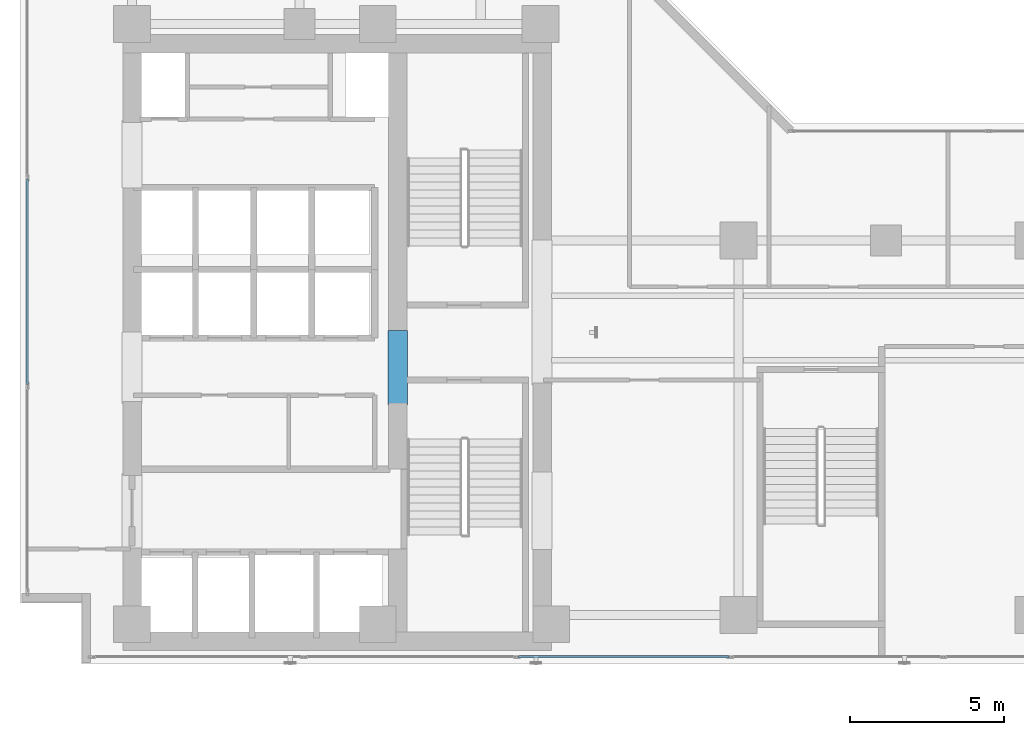
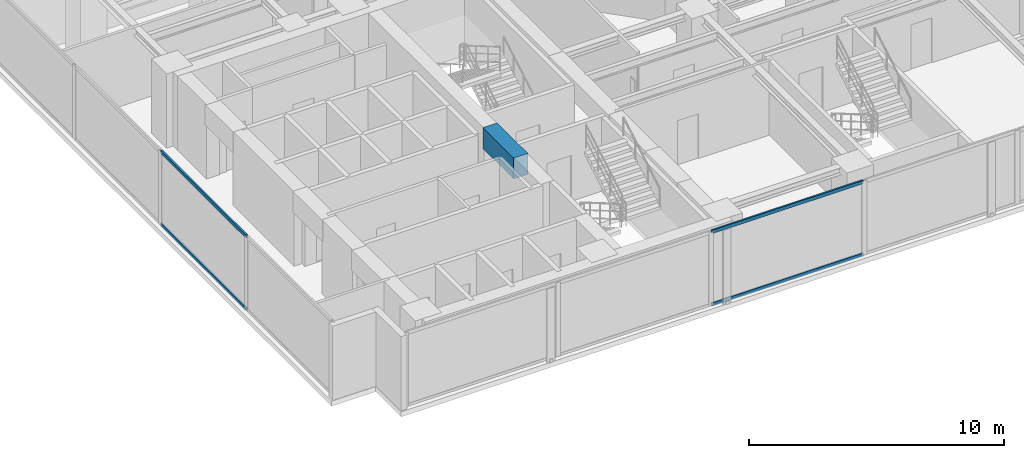
# One storey, part 3 of 26: 4 members, 1 beam, 2 elements without a shape of their own.
"""IFC4 building model written with IfcOpenShell, lengths in metres."""

import ifcopenshell
import ifcopenshell.guid

model = None  # the IFC model being written
_history = None  # IfcOwnerHistory: only IFC2X3 demands one
_inside = {}  # id of a spatial element -> (the spatial element, [elements in it])
_under = {}  # id of a project, library or spatial element -> (it, [spatial elements below it])
_declared = {}  # id of a project -> (the project, [libraries it declares])
_typed = {}  # id of a type object -> (the type object, [elements of that type])
_made_of = {}  # id of a material, layer set ... -> (it, [elements and type objects made of it])


def new_model(schema):
    """Start an empty IFC model of exactly this schema.

    Asked for "IFC4X3", IfcOpenShell would pick the latest addendum, in which some entities
    have other attributes; the version numbers below select the first issue.
    IFC2X3 requires an IfcOwnerHistory on every rooted entity: one is made here for all.
    """
    global model, _history
    if schema == "IFC4X3":
        model = ifcopenshell.file(schema_version=(4, 3, 0, 0))
    else:
        model = ifcopenshell.file(schema=schema)
    _inside.clear()
    _under.clear()
    _declared.clear()
    _typed.clear()
    _made_of.clear()
    _history = None
    if model.schema == "IFC2X3":
        org = make("IfcOrganization", Name="unknown")
        user = make(
            "IfcPersonAndOrganization",
            ThePerson=make("IfcPerson", FamilyName="unknown"),
            TheOrganization=org,
        )
        app = make(
            "IfcApplication",
            ApplicationDeveloper=org,
            Version="unknown",
            ApplicationFullName="unknown",
            ApplicationIdentifier="unknown",
        )
        _history = make(
            "IfcOwnerHistory",
            OwningUser=user,
            OwningApplication=app,
            ChangeAction="ADDED",
            CreationDate=0,
        )
    return model


def make(cls, **values):
    """One entity of the class cls with the attributes given. An attribute that is None is left unset."""
    return model.create_entity(
        cls, **{name: value for name, value in values.items() if value is not None}
    )


def rooted(cls, **values):
    """An entity with a GlobalId (a new one), such as an element, a storey or a relation."""
    return make(cls, GlobalId=ifcopenshell.guid.new(), OwnerHistory=_history, **values)


def si_unit(unit_type, name, prefix=None):
    """IfcSIUnit, for example si_unit("LENGTHUNIT", "METRE", prefix="MILLI")."""
    return make("IfcSIUnit", UnitType=unit_type, Prefix=prefix, Name=name)


def assignment(units):
    """IfcUnitAssignment: the units of a project."""
    return None if units is None else make("IfcUnitAssignment", Units=units)


def point(xyz):
    """IfcCartesianPoint."""
    return None if xyz is None else make("IfcCartesianPoint", Coordinates=xyz)


def direction(xyz):
    """IfcDirection."""
    return None if xyz is None else make("IfcDirection", DirectionRatios=xyz)


def frame(location, z_axis=None, x_axis=None):
    """IfcAxis2Placement3D, a coordinate frame: its origin and axes. An axis left out is left unset."""
    return make(
        "IfcAxis2Placement3D",
        Location=point(location),
        Axis=direction(z_axis),
        RefDirection=direction(x_axis),
    )


def frame_2d(location, x_axis=None):
    """IfcAxis2Placement2D, a coordinate frame in the plane: its origin and x axis."""
    return make(
        "IfcAxis2Placement2D", Location=point(location), RefDirection=direction(x_axis)
    )


def origin():
    """The frame at (0, 0, 0) with its axes left unset."""
    return frame((0.0, 0.0, 0.0))


def origin_with_axes():
    """The frame at (0, 0, 0) with the z axis (0, 0, 1) and the x axis (1, 0, 0) written out."""
    return frame((0.0, 0.0, 0.0), z_axis=(0.0, 0.0, 1.0), x_axis=(1.0, 0.0, 0.0))


def origin_2d():
    """The frame at (0, 0) in the plane with its x axis left unset."""
    return frame_2d((0.0, 0.0))


def place(relative_to, where):
    """IfcLocalPlacement: puts the frame where relative to a parent placement (None: the world)."""
    return make(
        "IfcLocalPlacement", PlacementRelTo=relative_to, RelativePlacement=where
    )


def context(
    kind, dimensions, precision=None, world=None, true_north=None, identifier=None
):
    """IfcGeometricRepresentationContext, for example the 3D "Model" context."""
    return make(
        "IfcGeometricRepresentationContext",
        ContextIdentifier=identifier,
        ContextType=kind,
        CoordinateSpaceDimension=dimensions,
        Precision=precision,
        WorldCoordinateSystem=world,
        TrueNorth=true_north,
    )


def subcontext(parent, identifier, kind, view, scale=None):
    """IfcGeometricRepresentationSubContext, for example "Body" below "Model"."""
    return make(
        "IfcGeometricRepresentationSubContext",
        ContextIdentifier=identifier,
        ContextType=kind,
        ParentContext=parent,
        TargetScale=scale,
        TargetView=view,
    )


def project(units=None, contexts=None):
    """IfcProject with its units and contexts."""
    return rooted(
        "IfcProject",
        Name="project",
        RepresentationContexts=contexts,
        UnitsInContext=assignment(units),
    )


def spatial(cls, under=None, at=None, **own):
    """A site, building, storey or space (cls), placed at a placement, below another one or the project."""
    s = rooted(cls, ObjectPlacement=at, **own)
    if under is not None:
        _under.setdefault(under.id(), (under, []))[1].append(s)
    return s


def profile(cls, at=None, kind="AREA", **sizes):
    """A parametric profile (cls). Its sizes go by their IFC names, for example OverallWidth=200.0."""
    return make(cls, ProfileType=kind, Position=at, **sizes)


def rectangle(**sizes):
    """IfcRectangleProfileDef."""
    return profile("IfcRectangleProfileDef", **sizes)


def hollow_rectangle(**sizes):
    """IfcRectangleHollowProfileDef."""
    return profile("IfcRectangleHollowProfileDef", **sizes)


def extrude(swept, where, along, depth):
    """IfcExtrudedAreaSolid: the profile swept, set in the frame where, extruded along a direction by depth."""
    return make(
        "IfcExtrudedAreaSolid",
        SweptArea=swept,
        Position=where,
        ExtrudedDirection=direction(along),
        Depth=depth,
    )


def shape(context_of_items, identifier, shape_type, items):
    """IfcShapeRepresentation: the items that make up one representation, for example the "Body"."""
    return make(
        "IfcShapeRepresentation",
        ContextOfItems=context_of_items,
        RepresentationIdentifier=identifier,
        RepresentationType=shape_type,
        Items=items,
    )


def source(mapping_origin, context_of_items, identifier, shape_type, items):
    """IfcRepresentationMap: a shape defined once, which mapped items show again and again."""
    return make(
        "IfcRepresentationMap",
        MappingOrigin=mapping_origin,
        MappedRepresentation=shape(context_of_items, identifier, shape_type, items),
    )


def transform(
    local_origin,
    x_axis=None,
    y_axis=None,
    z_axis=None,
    scale=None,
    scale2=None,
    scale3=None,
    uniform=True,
):
    """IfcCartesianTransformationOperator3D, or its non-uniform kind. x_axis, y_axis, z_axis: its Axis1, 2, 3."""
    if uniform:
        return make(
            "IfcCartesianTransformationOperator3D",
            Axis1=direction(x_axis),
            Axis2=direction(y_axis),
            LocalOrigin=point(local_origin),
            Scale=scale,
            Axis3=direction(z_axis),
        )
    return make(
        "IfcCartesianTransformationOperator3DnonUniform",
        Axis1=direction(x_axis),
        Axis2=direction(y_axis),
        LocalOrigin=point(local_origin),
        Scale=scale,
        Axis3=direction(z_axis),
        Scale2=scale2,
        Scale3=scale3,
    )


def mapped(mapping_source, mapping_target):
    """IfcMappedItem: shows the shape of a source again, moved by a transform."""
    return make(
        "IfcMappedItem", MappingSource=mapping_source, MappingTarget=mapping_target
    )


def material(Name=None, Category=None):
    """IfcMaterial."""
    return make("IfcMaterial", Name=Name, Category=Category)


def layer(
    of_material, thickness, ventilated=None, Name=None, Category=None, Priority=None
):
    """IfcMaterialLayer: one layer of a wall or slab, of a material (None: an air gap)."""
    return make(
        "IfcMaterialLayer",
        Material=of_material,
        LayerThickness=thickness,
        IsVentilated=ventilated,
        Name=Name,
        Category=Category,
        Priority=Priority,
    )


def layer_set(layers, Name=None):
    """IfcMaterialLayerSet."""
    return make("IfcMaterialLayerSet", MaterialLayers=layers, LayerSetName=Name)


def material_profile(
    of_material, cross_section, Name=None, Category=None, Priority=None
):
    """IfcMaterialProfile: a cross section and its material."""
    return make(
        "IfcMaterialProfile",
        Name=Name,
        Material=of_material,
        Profile=cross_section,
        Priority=Priority,
        Category=Category,
    )


def profile_set(profiles, Name=None, composite=None):
    """IfcMaterialProfileSet."""
    return make(
        "IfcMaterialProfileSet",
        Name=Name,
        MaterialProfiles=profiles,
        CompositeProfile=composite,
    )


def made_of(thing, what):
    """Note that an element or type object is made of a material, layer set ...; save() writes the relation."""
    if what is not None:
        _made_of.setdefault(what.id(), (what, []))[1].append(thing)
    return thing


def type_object(cls, material=None, **own):
    """A type object (cls), such as IfcWallType, which elements share."""
    return made_of(rooted(cls, **own), material)


def element(
    cls,
    number,
    at=None,
    inside=None,
    cuts=None,
    type_object=None,
    material=None,
    context=None,
    identifier="Body",
    shape_type=None,
    held_by="IfcProductDefinitionShape",
    body=None,
    shapes=None,
    **own,
):
    """One element of the class cls, such as IfcWall. Its Tag is "e" and its number.

    at: its placement. inside: the storey or other place that contains it. cuts: it is an
    opening in that element (IfcRelVoidsElement). A single representation is given by context,
    identifier, shape_type and body (its items); several are given by shapes. held_by: the class
    of the entity that holds the representations. save() writes the other relations.
    """
    e = rooted(cls, Tag="e%d" % number, ObjectPlacement=at, **own)
    if body is not None:
        shapes = [shape(context, identifier, shape_type, body)]
    if shapes is not None:
        e.Representation = make(held_by, Representations=shapes)
    if inside is not None:
        _inside.setdefault(inside.id(), (inside, []))[1].append(e)
    if cuts is not None:
        rooted(
            "IfcRelVoidsElement", RelatingBuildingElement=cuts, RelatedOpeningElement=e
        )
    if type_object is not None:
        _typed.setdefault(type_object.id(), (type_object, []))[1].append(e)
    return made_of(e, material)


def aggregate(whole, parts):
    """IfcRelAggregates: a whole, such as a stair, and the parts it consists of."""
    return rooted("IfcRelAggregates", RelatingObject=whole, RelatedObjects=parts)


def save(model, path):
    """Write the relations noted so far, then the file.

    IfcRelAggregates (storeys below a building ...), IfcRelContainedInSpatialStructure (elements
    in a storey), IfcRelDefinesByType, IfcRelAssociatesMaterial and IfcRelDeclares: one each for
    every whole, place, type object, material and project.
    """
    for whole, parts in _under.values():
        aggregate(whole, parts)
    for where, things in _inside.values():
        rooted(
            "IfcRelContainedInSpatialStructure",
            RelatedElements=things,
            RelatingStructure=where,
        )
    for kind, things in _typed.values():
        rooted("IfcRelDefinesByType", RelatedObjects=things, RelatingType=kind)
    for what, things in _made_of.values():
        rooted("IfcRelAssociatesMaterial", RelatedObjects=things, RelatingMaterial=what)
    for by, libraries in _declared.values():
        rooted("IfcRelDeclares", RelatingContext=by, RelatedDefinitions=libraries)
    model.write(path)


model = new_model("IFC4")

# Units and contexts
model_context = context("Model", 3, precision=1e-05, world=origin(), true_north=direction((0.0, 1.0)))
body_context = subcontext(model_context, "Body", "Model", "MODEL_VIEW")
ifc_project = project(units=[si_unit("LENGTHUNIT", "METRE"), si_unit("AREAUNIT", "SQUARE_METRE"), si_unit("VOLUMEUNIT", "CUBIC_METRE"), si_unit("PLANEANGLEUNIT", "RADIAN"), si_unit("MASSUNIT", "GRAM", prefix="KILO")], contexts=[model_context])

# Site, building, storey
site_placement = place(None, origin())
site = spatial("IfcSite", under=ifc_project, at=site_placement, CompositionType="ELEMENT")
building_placement = place(site_placement, origin())
building = spatial("IfcBuilding", under=site, at=building_placement, Name="Kolvaren Waterfront Exchange", CompositionType="ELEMENT")
storey_placement = place(building_placement, frame((0.0, 0.0, 150.0)))
storey = spatial("IfcBuildingStorey", under=building, at=storey_placement, Name="L38", CompositionType="ELEMENT", Elevation=150.0)

# Beam
ifc_material_1 = material(Name="Concrete C60/75", Category="concrete")
ifc_material_profile_1 = material_profile(ifc_material_1, rectangle(XDim=0.64990234375, YDim=1.0, at=origin_2d()), Name="RC-CB-1000x650")
ifc_profile_set_1 = profile_set([ifc_material_profile_1], Name="Concrete C60/75")
beam_type = type_object("IfcBeamType", Name="STR-CB-1000", PredefinedType="SPANDREL", material=ifc_profile_set_1)
beam_placement = place(storey_placement, frame((16.10009765625, 12.0400390625, 3.06005859375), z_axis=(0.0, 1.0, 0.0), x_axis=(-1.0, 0.0, 0.0)))
element("IfcBeam", 1, at=beam_placement, inside=storey, type_object=beam_type, Name="L38 core coupling beam 6", PredefinedType="SPANDREL", context=body_context, shape_type="SweptSolid", body=[
    extrude(rectangle(XDim=0.64990234375, YDim=1.0, at=origin_2d()), origin(), (0.0, 0.0, 1.0), 2.419921875),
])

# Curtain wall, members
ifc_material_2 = material(Name="Anodised bronze aluminium 6063-T6", Category="aluminium")
ifc_layer_1 = layer(ifc_material_2, 0.219970703125, Name="Anodised bronze aluminium 6063-T6")
ifc_layer_set_1 = layer_set([ifc_layer_1], Name="Anodised bronze aluminium 6063-T6")
curtain_wall_type_1 = type_object("IfcCurtainWallType", Name="ARC-CW-SYS1", PredefinedType="USERDEFINED", material=ifc_layer_set_1)
curtain_wall_1_placement = place(storey_placement, origin())
curtain_wall_1 = element("IfcCurtainWall", 2, at=curtain_wall_1_placement, inside=storey, type_object=curtain_wall_type_1, Name="L38 stick curtain wall CW1 (CW-L38-S)", ObjectType="STICK CURTAIN WALL", PredefinedType="USERDEFINED")
ifc_material_3 = material(Name="Anodised aluminium 6063-T6", Category="aluminium")
ifc_material_profile_2 = material_profile(ifc_material_3, hollow_rectangle(XDim=0.074951171875, YDim=0.159912109375, WallThickness=0.00439453125, at=origin_2d()), Name="ALU-TRN-160x75x4.5")
ifc_profile_set_2 = profile_set([ifc_material_profile_2], Name="Anodised aluminium 6063-T6")
member_type = type_object("IfcMemberType", Name="ARC-CWT-160", PredefinedType="USERDEFINED", material=ifc_profile_set_2)
shared_shape_1 = source(origin_with_axes(), body_context, "Body", "SweptSolid", [
    extrude(hollow_rectangle(XDim=0.074951171875, YDim=0.159912109375, WallThickness=0.00439453125, at=origin_2d()), origin(), (0.0, 0.0, 1.0), 6.863037109375),
])
member_1_placement = place(storey_placement, frame((20.025634765625, 3.840087890625, 0.03759765625), z_axis=(1.0, 0.0, 0.0), x_axis=(0.0, 1.0, 0.0)))
member_1 = element("IfcMember", 3, at=member_1_placement, type_object=member_type, Name="CW1 transom 3.1", ObjectType="TRANSOM", PredefinedType="USERDEFINED", context=body_context, shape_type="MappedRepresentation", body=[
    mapped(shared_shape_1, transform((0.0, 0.0, 0.0), x_axis=(1.0, 0.0, 0.0), y_axis=(0.0, 1.0, 0.0), z_axis=(0.0, 0.0, 1.0), scale=1.0)),
])
member_2_placement = place(storey_placement, frame((20.025634765625, 3.840087890625, 3.5224609375), z_axis=(1.0, 0.0, 0.0), x_axis=(0.0, 1.0, 0.0)))
member_2 = element("IfcMember", 4, at=member_2_placement, type_object=member_type, Name="CW1 transom 3.2", ObjectType="TRANSOM", PredefinedType="USERDEFINED", context=body_context, shape_type="MappedRepresentation", body=[
    mapped(shared_shape_1, transform((0.0, 0.0, 0.0), x_axis=(1.0, 0.0, 0.0), y_axis=(0.0, 1.0, 0.0), z_axis=(0.0, 0.0, 1.0), scale=1.0)),
])
aggregate(curtain_wall_1, [member_1, member_2])

ifc_layer_2 = layer(ifc_material_3, 0.219970703125, Name="Anodised aluminium 6063-T6")
ifc_layer_set_2 = layer_set([ifc_layer_2], Name="Anodised aluminium 6063-T6")
curtain_wall_type_2 = type_object("IfcCurtainWallType", Name="ARC-CW-SYS2", PredefinedType="USERDEFINED", material=ifc_layer_set_2)
curtain_wall_2_placement = place(storey_placement, origin())
curtain_wall_2 = element("IfcCurtainWall", 5, at=curtain_wall_2_placement, inside=storey, type_object=curtain_wall_type_2, Name="L38 stick curtain wall CW2 (CW-L38-W)", ObjectType="STICK CURTAIN WALL", PredefinedType="USERDEFINED")
shared_shape_2 = source(origin_with_axes(), body_context, "Body", "SweptSolid", [
    extrude(hollow_rectangle(XDim=0.074951171875, YDim=0.159912109375, WallThickness=0.00439453125, at=origin_2d()), origin(), (0.0, 0.0, 1.0), 6.6865234375),
])
member_3_placement = place(storey_placement, frame((4.0400390625, 12.706787109375, 0.03759765625), z_axis=(0.0, 1.0, 0.0), x_axis=(-1.0, 0.0, 0.0)))
member_3 = element("IfcMember", 6, at=member_3_placement, type_object=member_type, Name="CW2 transom 2.1", ObjectType="TRANSOM", PredefinedType="USERDEFINED", context=body_context, shape_type="MappedRepresentation", body=[
    mapped(shared_shape_2, transform((0.0, 0.0, 0.0), x_axis=(1.0, 0.0, 0.0), y_axis=(0.0, 1.0, 0.0), z_axis=(0.0, 0.0, 1.0), scale=1.0)),
])
member_4_placement = place(storey_placement, frame((4.0400390625, 12.706787109375, 3.5224609375), z_axis=(0.0, 1.0, 0.0), x_axis=(-1.0, 0.0, 0.0)))
member_4 = element("IfcMember", 7, at=member_4_placement, type_object=member_type, Name="CW2 transom 2.2", ObjectType="TRANSOM", PredefinedType="USERDEFINED", context=body_context, shape_type="MappedRepresentation", body=[
    mapped(shared_shape_2, transform((0.0, 0.0, 0.0), x_axis=(1.0, 0.0, 0.0), y_axis=(0.0, 1.0, 0.0), z_axis=(0.0, 0.0, 1.0), scale=1.0)),
])
aggregate(curtain_wall_2, [member_3, member_4])

save(model, "model.ifc")
